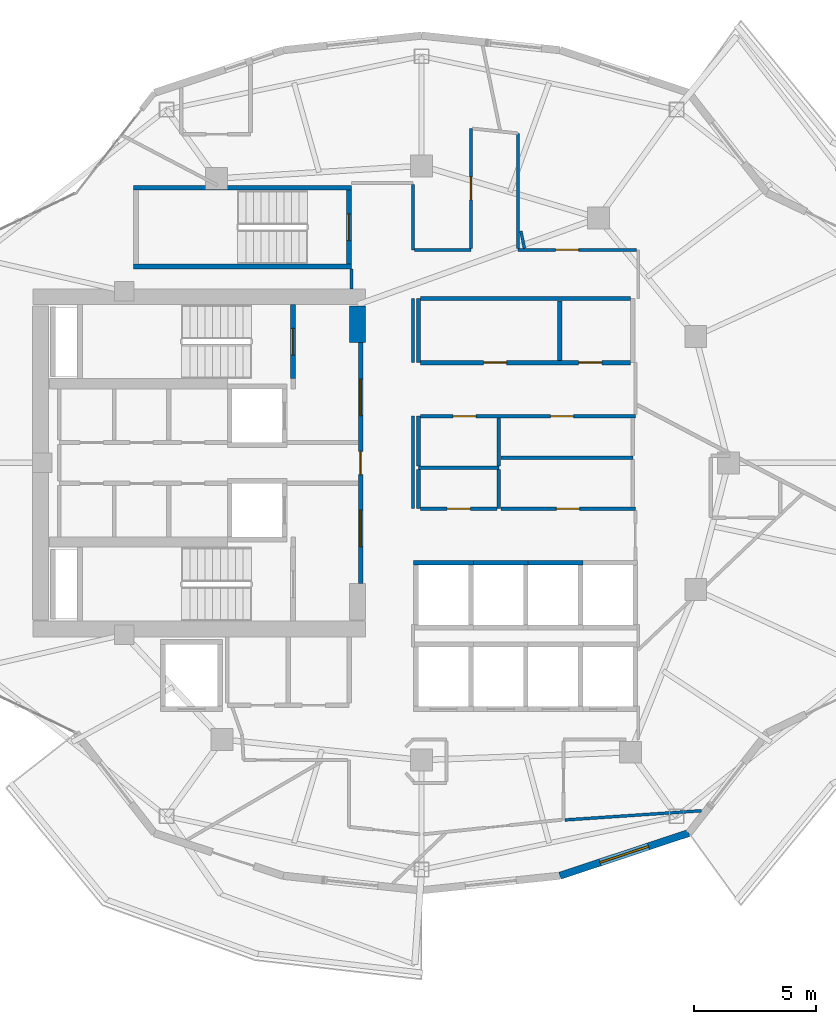
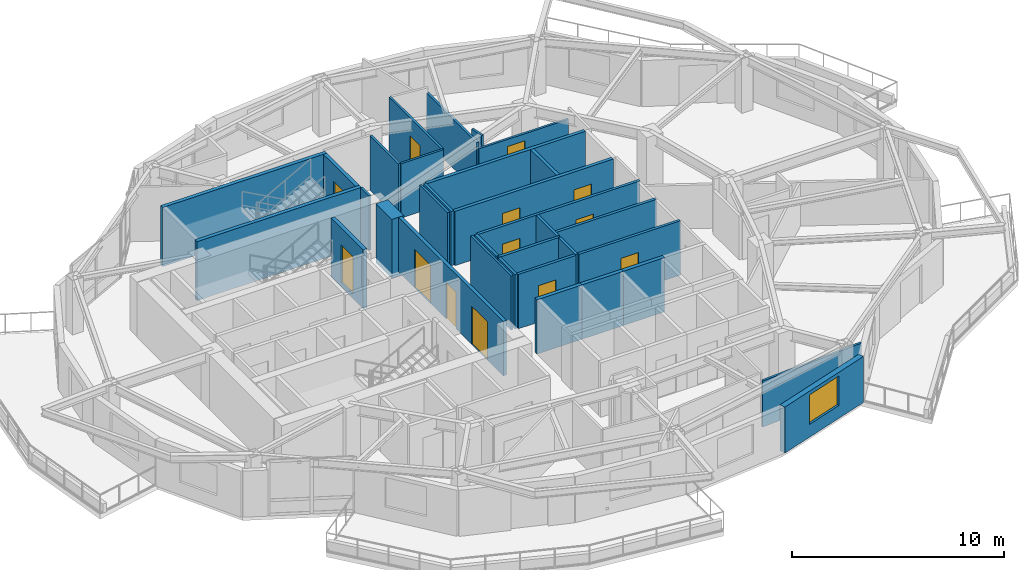
# One storey, part 9 of 13: 33 walls, 13 doors, 1 window, 14 openings.
"""IFC4 building model written with IfcOpenShell, lengths in metres."""

from ifc_helpers import new_model, si_unit, direction, frame, frame_2d, origin, place, context, subcontext, project, spatial, rectangle, extrude, material, layer, layer_set, type_object, element, fill, save


model = new_model("IFC4")

# Units and contexts
model_context = context("Model", 3, precision=1e-05, world=origin(), true_north=direction((0.0, 1.0)))
body_context = subcontext(model_context, "Body", "Model", "MODEL_VIEW")
ifc_project = project(units=[si_unit("LENGTHUNIT", "METRE"), si_unit("AREAUNIT", "SQUARE_METRE"), si_unit("VOLUMEUNIT", "CUBIC_METRE"), si_unit("PLANEANGLEUNIT", "RADIAN"), si_unit("MASSUNIT", "GRAM", prefix="KILO")], contexts=[model_context])

# Site, building, storey
site_placement = place(None, origin())
site = spatial("IfcSite", under=ifc_project, at=site_placement, CompositionType="ELEMENT")
building_placement = place(site_placement, origin())
building = spatial("IfcBuilding", under=site, at=building_placement, Name="Kolvaren Gate Tower and Convention Centre", CompositionType="ELEMENT")
storey_placement = place(building_placement, frame((0.0, 0.0, 156.300048828125)))
storey = spatial("IfcBuildingStorey", under=building, at=storey_placement, Name="L40", CompositionType="ELEMENT", Elevation=156.300048828125)

# Wall, openings, doors
ifc_material_1 = material(Name="Autoclaved Aerated Masonry Blockwork Class 4 (4.0 MPa)", Category="masonry")
ifc_layer_1 = layer(ifc_material_1, 0.179931640625)
ifc_layer_set_1 = layer_set([ifc_layer_1], Name="Autoclaved Aerated Masonry Blockwork Class 4 (4.0 MPa)")
wall_type_1 = type_object("IfcWallType", Name="ARCH-WL-COMP-180", PredefinedType="SOLIDWALL", material=ifc_layer_set_1)
wall_1_placement = place(storey_placement, frame((27.6201171875, 22.050048828125, 0.0), z_axis=(0.0, 0.0, 1.0), x_axis=(0.0, 1.0, 0.0)))
wall_1 = element("IfcWall", 1, at=wall_1_placement, inside=storey, type_object=wall_type_1, Name="Interior Partition WL-L40-INT-003", PredefinedType="SOLIDWALL", context=body_context, shape_type="SweptSolid", body=[
    extrude(rectangle(XDim=9.89990234375, YDim=0.179931640625, at=frame_2d((4.949951171875, 0.0))), origin(), (0.0, 0.0, 1.0), 3.1298828125),
])
opening_1_placement = place(wall_1_placement, frame((4.47509765625, 0.0, 0.0)))
opening_1 = element("IfcOpeningElement", 2, at=opening_1_placement, cuts=wall_1, Name="Opening DR-01", PredefinedType="OPENING", context=body_context, shape_type="SweptSolid", body=[
    extrude(rectangle(XDim=0.949951171875, YDim=2.10009765625, at=frame_2d((0.47509765625, 1.050048828125))), frame((0.0, 0.099853515625, 0.0), z_axis=(0.0, -1.0, 0.0), x_axis=(1.0, 0.0, 0.0)), (0.0, 0.0, 1.0), 0.199951171875),
])
opening_2_placement = place(wall_1_placement, frame((6.889892578125, 0.0, 0.0)))
opening_2 = element("IfcOpeningElement", 3, at=opening_2_placement, cuts=wall_1, Name="Opening DL-01", PredefinedType="OPENING", context=body_context, shape_type="SweptSolid", body=[
    extrude(rectangle(XDim=1.5, YDim=2.199951171875, at=frame_2d((0.75, 1.10009765625))), frame((0.0, 0.099853515625, 0.0), z_axis=(0.0, -1.0, 0.0), x_axis=(1.0, 0.0, 0.0)), (0.0, 0.0, 1.0), 0.199951171875),
])
opening_3_placement = place(wall_1_placement, frame((1.510009765625, 0.0, 0.0)))
opening_3 = element("IfcOpeningElement", 4, at=opening_3_placement, cuts=wall_1, Name="Opening DL-01", PredefinedType="OPENING", context=body_context, shape_type="SweptSolid", body=[
    extrude(rectangle(XDim=1.5, YDim=2.199951171875, at=frame_2d((0.75, 1.10009765625))), frame((0.0, 0.099853515625, 0.0), z_axis=(0.0, -1.0, 0.0), x_axis=(1.0, 0.0, 0.0)), (0.0, 0.0, 1.0), 0.199951171875),
])
ifc_material_2 = material(Name="Painted Architectural Steelwork ASTM A500 Grade C 345 MPa", Category="steel")
door_type_1 = type_object("IfcDoorType", Name="ARCH-DR-LOBBY-1500", OperationType="DOUBLE_DOOR_SINGLE_SWING", PredefinedType="DOOR", material=ifc_material_2)
door_1_placement = place(opening_2_placement, origin())
door_1 = element("IfcDoor", 5, at=door_1_placement, inside=storey, type_object=door_type_1, Name="North Firefighting Stair and Lift Lobby Door", OperationType="DOUBLE_DOOR_SINGLE_SWING", OverallHeight=2.199951171875, OverallWidth=1.5, PredefinedType="DOOR", context=body_context, shape_type="SweptSolid", body=[
    extrude(rectangle(XDim=1.5, YDim=2.199951171875, at=frame_2d((0.75, 1.10009765625))), frame((0.0, 0.02490234375, 0.0), z_axis=(0.0, -1.0, 0.0), x_axis=(1.0, 0.0, 0.0)), (0.0, 0.0, 1.0), 0.050048828125),
])
fill(opening_2, door_1)
door_2_placement = place(opening_3_placement, origin())
door_2 = element("IfcDoor", 6, at=door_2_placement, inside=storey, type_object=door_type_1, Name="South Firefighting Stair and Lift Lobby Door", OperationType="DOUBLE_DOOR_SINGLE_SWING", OverallHeight=2.199951171875, OverallWidth=1.5, PredefinedType="DOOR", context=body_context, shape_type="SweptSolid", body=[
    extrude(rectangle(XDim=1.5, YDim=2.199951171875, at=frame_2d((0.75, 1.10009765625))), frame((0.0, 0.02490234375, 0.0), z_axis=(0.0, -1.0, 0.0), x_axis=(1.0, 0.0, 0.0)), (0.0, 0.0, 1.0), 0.050048828125),
])
fill(opening_3, door_2)
door_type_2 = type_object("IfcDoorType", Name="ARCH-DR-RISER-950", OperationType="SINGLE_SWING_RIGHT", PredefinedType="DOOR", material=ifc_material_2)
door_3_placement = place(opening_1_placement, origin())
door_3 = element("IfcDoor", 7, at=door_3_placement, inside=storey, type_object=door_type_2, Name="Central MEP Service Corridor Door", OperationType="SINGLE_SWING_LEFT", OverallHeight=2.10009765625, OverallWidth=0.949951171875, PredefinedType="DOOR", context=body_context, shape_type="SweptSolid", body=[
    extrude(rectangle(XDim=0.949951171875, YDim=2.10009765625, at=frame_2d((0.47509765625, 1.050048828125))), frame((0.0, 0.02490234375, 0.0), z_axis=(0.0, -1.0, 0.0), x_axis=(1.0, 0.0, 0.0)), (0.0, 0.0, 1.0), 0.050048828125),
])
fill(opening_1, door_3)

wall_2_placement = place(storey_placement, frame((30.076904296875, 31.1201171875, 0.0), z_axis=(0.0, 0.0, 1.0), x_axis=(1.0, 0.0, 0.0)))
wall_2 = element("IfcWall", 8, at=wall_2_placement, inside=storey, type_object=wall_type_1, Name="Interior Partition WL-L40-INT-025", PredefinedType="SOLIDWALL", context=body_context, shape_type="SweptSolid", body=[
    extrude(rectangle(XDim=8.631103515625, YDim=0.179931640625, at=frame_2d((4.3154296875, 0.0))), origin(), (0.0, 0.0, 1.0), 3.1298828125),
])
opening_4_placement = place(wall_2_placement, frame((2.591552734375, 0.0, 0.0)))
opening_4 = element("IfcOpeningElement", 9, at=opening_4_placement, cuts=wall_2, Name="Opening DR-01", PredefinedType="OPENING", context=body_context, shape_type="SweptSolid", body=[
    extrude(rectangle(XDim=0.949951171875, YDim=2.10009765625, at=frame_2d((0.47509765625, 1.050048828125))), frame((0.0, 0.099853515625, 0.0), z_axis=(0.0, -1.0, 0.0), x_axis=(1.0, 0.0, 0.0)), (0.0, 0.0, 1.0), 0.199951171875),
])
opening_5_placement = place(wall_2_placement, frame((6.4970703125, 0.0, 0.0)))
opening_5 = element("IfcOpeningElement", 10, at=opening_5_placement, cuts=wall_2, Name="Opening DR-01", PredefinedType="OPENING", context=body_context, shape_type="SweptSolid", body=[
    extrude(rectangle(XDim=0.949951171875, YDim=2.10009765625, at=frame_2d((0.47509765625, 1.050048828125))), frame((0.0, 0.099853515625, 0.0), z_axis=(0.0, -1.0, 0.0), x_axis=(1.0, 0.0, 0.0)), (0.0, 0.0, 1.0), 0.199951171875),
])
door_4_placement = place(opening_4_placement, origin())
door_4 = element("IfcDoor", 11, at=door_4_placement, inside=storey, type_object=door_type_2, Name="Steward Supply Store Door", OperationType="SINGLE_SWING_RIGHT", OverallHeight=2.10009765625, OverallWidth=0.949951171875, PredefinedType="DOOR", context=body_context, shape_type="SweptSolid", body=[
    extrude(rectangle(XDim=0.949951171875, YDim=2.10009765625, at=frame_2d((0.47509765625, 1.050048828125))), frame((0.0, 0.02490234375, 0.0), z_axis=(0.0, -1.0, 0.0), x_axis=(1.0, 0.0, 0.0)), (0.0, 0.0, 1.0), 0.050048828125),
])
fill(opening_4, door_4)
door_5_placement = place(opening_5_placement, origin())
door_5 = element("IfcDoor", 12, at=door_5_placement, inside=storey, type_object=door_type_2, Name="Floor Telecom Switch Room Door", OperationType="SINGLE_SWING_LEFT", OverallHeight=2.10009765625, OverallWidth=0.949951171875, PredefinedType="DOOR", context=body_context, shape_type="SweptSolid", body=[
    extrude(rectangle(XDim=0.949951171875, YDim=2.10009765625, at=frame_2d((0.47509765625, 1.050048828125))), frame((0.0, 0.02490234375, 0.0), z_axis=(0.0, -1.0, 0.0), x_axis=(1.0, 0.0, 0.0)), (0.0, 0.0, 1.0), 0.050048828125),
])
fill(opening_5, door_5)

# Walls
wall_3_placement = place(storey_placement, frame((30.076904296875, 33.75, 0.0), z_axis=(0.0, 0.0, 1.0), x_axis=(1.0, 0.0, 0.0)))
element("IfcWall", 13, at=wall_3_placement, inside=storey, type_object=wall_type_1, Name="Interior Partition WL-L40-INT-026", PredefinedType="SOLIDWALL", context=body_context, shape_type="SweptSolid", body=[
    extrude(rectangle(XDim=8.631103515625, YDim=0.179931640625, at=frame_2d((4.3154296875, 0.0))), origin(), (0.0, 0.0, 1.0), 3.1298828125),
])
wall_4_placement = place(storey_placement, frame((35.800048828125, 31.2119140625, 0.0), z_axis=(0.0, 0.0, 1.0), x_axis=(0.0, 1.0, 0.0)))
element("IfcWall", 14, at=wall_4_placement, inside=storey, type_object=wall_type_1, Name="Interior Partition WL-L40-INT-027", PredefinedType="SOLIDWALL", context=body_context, shape_type="SweptSolid", body=[
    extrude(rectangle(XDim=2.446044921875, YDim=0.179931640625, at=frame_2d((1.22314453125, 0.0))), origin(), (0.0, 0.0, 1.0), 3.1298828125),
])
ifc_material_3 = material(Name="Fire-Rated Acoustic Gypsum Stud Partition", Category="gypsum")
ifc_layer_2 = layer(ifc_material_3, 0.1201171875)
ifc_layer_set_2 = layer_set([ifc_layer_2], Name="Fire-Rated Acoustic Gypsum Stud Partition")
wall_type_2 = type_object("IfcWallType", Name="ARCH-WL-PART-120", PredefinedType="PARTITIONING", material=ifc_layer_set_2)
wall_5_placement = place(storey_placement, frame((27.25, 34.152099609375, 0.0), z_axis=(0.0, 0.0, 1.0), x_axis=(0.0, 1.0, 0.0)))
element("IfcWall", 15, at=wall_5_placement, inside=storey, type_object=wall_type_2, Name="Interior Partition WL-L40-INT-038", PredefinedType="PARTITIONING", context=body_context, shape_type="SweptSolid", body=[
    extrude(rectangle(XDim=0.805908203125, YDim=0.1201171875, at=frame_2d((0.40283203125, 0.0))), origin(), (0.0, 0.0, 1.0), 3.1298828125),
])
wall_6_placement = place(storey_placement, frame((29.780029296875, 25.1201171875, 0.0), z_axis=(0.0, 0.0, 1.0), x_axis=(0.0, 1.0, 0.0)))
element("IfcWall", 16, at=wall_6_placement, inside=storey, type_object=wall_type_2, Name="Interior Partition WL-L40-INT-041", PredefinedType="PARTITIONING", context=body_context, shape_type="SweptSolid", body=[
    extrude(rectangle(XDim=3.7998046875, YDim=0.1201171875, at=frame_2d((1.89990234375, 0.0))), origin(), (0.0, 0.0, 1.0), 3.1298828125),
])
wall_7_placement = place(storey_placement, frame((29.780029296875, 31.1201171875, 0.0), z_axis=(0.0, 0.0, 1.0), x_axis=(0.0, 1.0, 0.0)))
element("IfcWall", 17, at=wall_7_placement, inside=storey, type_object=wall_type_2, Name="Interior Partition WL-L40-INT-042", PredefinedType="PARTITIONING", context=body_context, shape_type="SweptSolid", body=[
    extrude(rectangle(XDim=2.6298828125, YDim=0.1201171875, at=frame_2d((1.31494140625, 0.0))), origin(), (0.0, 0.0, 1.0), 3.1298828125),
])
wall_8_placement = place(storey_placement, frame((29.780029296875, 35.75, 0.0), z_axis=(0.0, 0.0, 1.0), x_axis=(0.0, 1.0, 0.0)))
element("IfcWall", 18, at=wall_8_placement, inside=storey, type_object=wall_type_2, Name="Interior Partition WL-L40-INT-043", PredefinedType="PARTITIONING", context=body_context, shape_type="SweptSolid", body=[
    extrude(rectangle(XDim=2.68798828125, YDim=0.1201171875, at=frame_2d((1.343994140625, 0.0))), origin(), (0.0, 0.0, 1.0), 3.1298828125),
])
wall_9_placement = place(storey_placement, frame((29.842041015625, 35.75, 0.0), z_axis=(0.0, 0.0, 1.0), x_axis=(1.0, 0.0, 0.0)))
element("IfcWall", 19, at=wall_9_placement, inside=storey, type_object=wall_type_2, Name="Interior Partition WL-L40-INT-044", PredefinedType="PARTITIONING", context=body_context, shape_type="SweptSolid", body=[
    extrude(rectangle(XDim=2.307861328125, YDim=0.1201171875, at=frame_2d((1.15380859375, 0.0))), origin(), (0.0, 0.0, 1.0), 3.1298828125),
])

# Wall, opening, door
wall_10_placement = place(storey_placement, frame((34.080078125, 35.75, 0.0), z_axis=(0.0, 0.0, 1.0), x_axis=(1.0, 0.0, 0.0)))
wall_10 = element("IfcWall", 20, at=wall_10_placement, inside=storey, type_object=wall_type_2, Name="Interior Partition WL-L40-INT-045", PredefinedType="PARTITIONING", context=body_context, shape_type="SweptSolid", body=[
    extrude(rectangle(XDim=4.8779296875, YDim=0.1201171875, at=frame_2d((2.43896484375, 0.0))), origin(), (0.0, 0.0, 1.0), 2.5048828125),
])
opening_6_placement = place(wall_10_placement, frame((1.5439453125, 0.0, 0.0)))
opening_6 = element("IfcOpeningElement", 21, at=opening_6_placement, cuts=wall_10, Name="Opening DR-01", PredefinedType="OPENING", context=body_context, shape_type="SweptSolid", body=[
    extrude(rectangle(XDim=0.949951171875, YDim=2.10009765625, at=frame_2d((0.47509765625, 1.050048828125))), frame((0.0, 0.070068359375, 0.0), z_axis=(0.0, -1.0, 0.0), x_axis=(1.0, 0.0, 0.0)), (0.0, 0.0, 1.0), 0.14013671875),
])
door_6_placement = place(opening_6_placement, origin())
door_6 = element("IfcDoor", 22, at=door_6_placement, inside=storey, type_object=door_type_2, Name="Hotel Botanical Clubroom Door", OperationType="SINGLE_SWING_LEFT", OverallHeight=2.10009765625, OverallWidth=0.949951171875, PredefinedType="DOOR", context=body_context, shape_type="SweptSolid", body=[
    extrude(rectangle(XDim=0.949951171875, YDim=2.10009765625, at=frame_2d((0.47509765625, 1.050048828125))), frame((0.0, 0.02490234375, 0.0), z_axis=(0.0, -1.0, 0.0), x_axis=(1.0, 0.0, 0.0)), (0.0, 0.0, 1.0), 0.050048828125),
])
fill(opening_6, door_6)

wall_11_placement = place(storey_placement, frame((32.14990234375, 35.81201171875, 0.0), z_axis=(0.0, 0.0, 1.0), x_axis=(0.0, 1.0, 0.0)))
wall_11 = element("IfcWall", 23, at=wall_11_placement, inside=storey, type_object=wall_type_2, Name="Interior Partition WL-L40-INT-046", PredefinedType="PARTITIONING", context=body_context, shape_type="SweptSolid", body=[
    extrude(rectangle(XDim=4.925048828125, YDim=0.1201171875, at=frame_2d((2.46240234375, 0.0))), origin(), (0.0, 0.0, 1.0), 3.1298828125),
])
opening_7_placement = place(wall_11_placement, frame((1.987548828125, 0.0, 0.0)))
opening_7 = element("IfcOpeningElement", 24, at=opening_7_placement, cuts=wall_11, Name="Opening DR-01", PredefinedType="OPENING", context=body_context, shape_type="SweptSolid", body=[
    extrude(rectangle(XDim=0.949951171875, YDim=2.10009765625, at=frame_2d((0.47509765625, 1.050048828125))), frame((0.0, 0.070068359375, 0.0), z_axis=(0.0, -1.0, 0.0), x_axis=(1.0, 0.0, 0.0)), (0.0, 0.0, 1.0), 0.14013671875),
])
door_7_placement = place(opening_7_placement, origin())
door_7 = element("IfcDoor", 25, at=door_7_placement, inside=storey, type_object=door_type_2, Name="Hotel Guest Room (HTL-L40-07) Door", OperationType="SINGLE_SWING_RIGHT", OverallHeight=2.10009765625, OverallWidth=0.949951171875, PredefinedType="DOOR", context=body_context, shape_type="SweptSolid", body=[
    extrude(rectangle(XDim=0.949951171875, YDim=2.10009765625, at=frame_2d((0.47509765625, 1.050048828125))), frame((0.0, 0.02490234375, 0.0), z_axis=(0.0, -1.0, 0.0), x_axis=(1.0, 0.0, 0.0)), (0.0, 0.0, 1.0), 0.050048828125),
])
fill(opening_7, door_7)

# Walls
wall_12_placement = place(storey_placement, frame((34.080078125, 35.81201171875, 0.0), z_axis=(0.0, 0.0, 1.0), x_axis=(0.0, 1.0, 0.0)))
element("IfcWall", 26, at=wall_12_placement, inside=storey, type_object=wall_type_2, Name="Interior Partition WL-L40-INT-048", PredefinedType="PARTITIONING", context=body_context, shape_type="SweptSolid", body=[
    extrude(rectangle(XDim=4.721923828125, YDim=0.1201171875, at=frame_2d((2.36083984375, 0.0))), origin(), (0.0, 0.0, 1.0), 2.81201171875),
])
wall_13_placement = place(storey_placement, frame((36.011962890625, 12.34033203125, 0.0), z_axis=(0.0, 0.0, 1.0), x_axis=(0.997733146572, 0.067294637466, 0.0)))
element("IfcWall", 27, at=wall_13_placement, inside=storey, type_object=wall_type_2, Name="Interior Partition WL-L40-INT-060", PredefinedType="PARTITIONING", context=body_context, shape_type="SweptSolid", body=[
    extrude(rectangle(XDim=5.61962890625, YDim=0.1201171875, at=frame_2d((2.809814453125, 0.0))), origin(), (0.0, 0.0, 1.0), 2.65283203125),
])
wall_14_placement = place(storey_placement, frame((34.201904296875, 36.520751953125, 0.0), z_axis=(0.0, 0.0, 1.0), x_axis=(0.202081256143, -0.979368758903, 0.0)))
element("IfcWall", 28, at=wall_14_placement, inside=storey, type_object=wall_type_2, Name="Interior Partition WL-L40-INT-066", PredefinedType="PARTITIONING", context=body_context, shape_type="SweptSolid", body=[
    extrude(rectangle(XDim=0.7236328125, YDim=0.1201171875, at=frame_2d((0.36181640625, 0.0))), origin(), (0.0, 0.0, 1.0), 3.1298828125),
])
ifc_layer_3 = layer(ifc_material_1, 0.199951171875)
ifc_layer_set_3 = layer_set([ifc_layer_3], Name="Autoclaved Aerated Masonry Blockwork Class 4 (4.0 MPa)")
wall_type_3 = type_object("IfcWallType", Name="ARCH-WL-SHAFT-200", PredefinedType="SOLIDWALL", material=ifc_layer_set_3)
wall_15_placement = place(storey_placement, frame((29.800048828125, 22.89990234375, 0.0), z_axis=(0.0, 0.0, 1.0), x_axis=(1.0, 0.0, 0.0)))
element("IfcWall", 29, at=wall_15_placement, inside=storey, type_object=wall_type_3, Name="Elevator PL-09 L40 Fire Shaft Wall N", PredefinedType="SOLIDWALL", context=body_context, shape_type="SweptSolid", body=[
    extrude(rectangle(XDim=2.449951171875, YDim=0.199951171875, at=frame_2d((1.22509765625, 0.0))), origin(), (0.0, 0.0, 1.0), 3.1298828125),
])
for number, where, z_axis, x_axis, name in (
    (30, (32.25, 22.89990234375, 0.0), (0.0, 0.0, 1.0), (1.0, 0.0, 0.0), "Elevator PL-10 L40 Fire Shaft Wall N"),
    (31, (34.5, 22.89990234375, 0.0), (0.0, 0.0, 1.0), (1.0, 0.0, 0.0), "Elevator PL-11 L40 Fire Shaft Wall N"),
):
    element("IfcWall", number, at=place(storey_placement, frame(where, z_axis=z_axis, x_axis=x_axis)), inside=storey, type_object=wall_type_3, Name=name, PredefinedType="SOLIDWALL", context=body_context, shape_type="SweptSolid", body=[
        extrude(rectangle(XDim=2.25, YDim=0.199951171875, at=frame_2d((1.125, 0.0))), origin(), (0.0, 0.0, 1.0), 3.1298828125),
    ])

# Wall, opening, window
ifc_material_4 = material(Name="Piedmont Cream Honed Limestone Cladding", Category="masonry")
ifc_layer_4 = layer(ifc_material_4, 0.300048828125)
ifc_layer_set_4 = layer_set([ifc_layer_4], Name="Piedmont Cream Honed Limestone Cladding")
wall_type_4 = type_object("IfcWallType", Name="ARCH-WL-STONE-300", PredefinedType="SOLIDWALL", material=ifc_layer_set_4)
wall_16_placement = place(storey_placement, frame((35.802734375, 10.048095703125, 0.0), z_axis=(0.0, 0.0, 1.0), x_axis=(0.949246811547, 0.314532177636, 0.0)))
wall_16 = element("IfcWall", 32, at=wall_16_placement, inside=storey, type_object=wall_type_4, Name="Tower L40 Honed Stone Spandrel Wall EW-19", PredefinedType="SOLIDWALL", context=body_context, shape_type="SweptSolid", body=[
    extrude(rectangle(XDim=5.573974609375, YDim=0.300048828125, at=frame_2d((2.787109375, 0.0))), origin(), (0.0, 0.0, 1.0), 2.65283203125),
])
opening_8_placement = place(wall_16_placement, frame((1.737060546875, 0.0, 0.739990234375)))
opening_8 = element("IfcOpeningElement", 33, at=opening_8_placement, cuts=wall_16, Name="Opening W-02", PredefinedType="OPENING", context=body_context, shape_type="SweptSolid", body=[
    extrude(rectangle(XDim=2.10009765625, YDim=1.699951171875, at=frame_2d((1.050048828125, 0.85009765625))), frame((0.0, 0.159912109375, 0.0), z_axis=(0.0, -1.0, 0.0), x_axis=(1.0, 0.0, 0.0)), (0.0, 0.0, 1.0), 0.320068359375),
])
ifc_material_5 = material(Name="Low-E Triple Insulated Glazing Unit 44 mm", Category="glass")
window_type = type_object("IfcWindowType", Name="ARCH-WN-HTL-2100", PartitioningType="SINGLE_PANEL", PredefinedType="WINDOW", material=ifc_material_5)
window_placement = place(opening_8_placement, origin())
window = element("IfcWindow", 34, at=window_placement, inside=storey, type_object=window_type, Name="Tower L40 Punched Stone Facade Window W-19", OverallHeight=1.699951171875, OverallWidth=2.10009765625, PartitioningType="SINGLE_PANEL", PredefinedType="WINDOW", context=body_context, shape_type="SweptSolid", body=[
    extrude(rectangle(XDim=2.10009765625, YDim=1.699951171875, at=frame_2d((1.050048828125, 0.85009765625))), frame((0.0, 0.030029296875, 0.0), z_axis=(0.0, -1.0, 0.0), x_axis=(1.0, 0.0, 0.0)), (0.0, 0.0, 1.0), 0.06005859375),
])
fill(opening_8, window)

# Walls
ifc_material_6 = material(Name="Moisture-Resistant Cement-Board Acoustic Partition", Category="gypsum")
ifc_layer_5 = layer(ifc_material_6, 0.14990234375)
ifc_layer_set_5 = layer_set([ifc_layer_5], Name="Moisture-Resistant Cement-Board Acoustic Partition")
wall_type_5 = type_object("IfcWallType", Name="ARCH-WL-WET-150", PredefinedType="PARTITIONING", material=ifc_layer_set_5)
wall_17_placement = place(storey_placement, frame((30.0, 26.800048828125, 0.0), z_axis=(0.0, 0.0, 1.0), x_axis=(1.0, 0.0, 0.0)))
element("IfcWall", 35, at=wall_17_placement, inside=storey, type_object=wall_type_5, Name="Interior Partition WL-L40-INT-016", PredefinedType="PARTITIONING", context=body_context, shape_type="SweptSolid", body=[
    extrude(rectangle(XDim=3.300048828125, YDim=0.14990234375, at=frame_2d((1.64990234375, 0.0))), origin(), (0.0, 0.0, 1.0), 3.1298828125),
])
wall_18_placement = place(storey_placement, frame((30.0, 25.1201171875, 0.0), z_axis=(0.0, 0.0, 1.0), x_axis=(0.0, 1.0, 0.0)))
element("IfcWall", 36, at=wall_18_placement, inside=storey, type_object=wall_type_5, Name="Interior Partition WL-L40-INT-017", PredefinedType="PARTITIONING", context=body_context, shape_type="SweptSolid", body=[
    extrude(rectangle(XDim=1.602783203125, YDim=0.14990234375, at=frame_2d((0.80126953125, 0.0))), origin(), (0.0, 0.0, 1.0), 3.1298828125),
])
wall_19_placement = place(storey_placement, frame((30.0, 26.876953125, 0.0), z_axis=(0.0, 0.0, 1.0), x_axis=(0.0, 1.0, 0.0)))
element("IfcWall", 37, at=wall_19_placement, inside=storey, type_object=wall_type_5, Name="Interior Partition WL-L40-INT-017 (2)", PredefinedType="PARTITIONING", context=body_context, shape_type="SweptSolid", body=[
    extrude(rectangle(XDim=2.04296875, YDim=0.14990234375, at=frame_2d((1.021484375, 0.0))), origin(), (0.0, 0.0, 1.0), 3.1298828125),
])
wall_20_placement = place(storey_placement, frame((30.0, 31.1201171875, 0.0), z_axis=(0.0, 0.0, 1.0), x_axis=(0.0, 1.0, 0.0)))
element("IfcWall", 38, at=wall_20_placement, inside=storey, type_object=wall_type_5, Name="Interior Partition WL-L40-INT-018", PredefinedType="PARTITIONING", context=body_context, shape_type="SweptSolid", body=[
    extrude(rectangle(XDim=2.6298828125, YDim=0.14990234375, at=frame_2d((1.31494140625, 0.0))), origin(), (0.0, 0.0, 1.0), 3.1298828125),
])

# Wall, openings, doors
wall_21_placement = place(storey_placement, frame((30.076904296875, 28.919921875, 0.0), z_axis=(0.0, 0.0, 1.0), x_axis=(1.0, 0.0, 0.0)))
wall_21 = element("IfcWall", 39, at=wall_21_placement, inside=storey, type_object=wall_type_5, Name="Interior Partition WL-L40-INT-019", PredefinedType="PARTITIONING", context=body_context, shape_type="SweptSolid", body=[
    extrude(rectangle(XDim=8.822998046875, YDim=0.14990234375, at=frame_2d((4.41162109375, 0.0))), origin(), (0.0, 0.0, 1.0), 3.1298828125),
])
opening_9_placement = place(wall_21_placement, frame((1.341552734375, 0.0, 0.0)))
opening_9 = element("IfcOpeningElement", 40, at=opening_9_placement, cuts=wall_21, Name="Opening DR-01", PredefinedType="OPENING", context=body_context, shape_type="SweptSolid", body=[
    extrude(rectangle(XDim=0.949951171875, YDim=2.10009765625, at=frame_2d((0.47509765625, 1.050048828125))), frame((0.0, 0.0849609375, 0.0), z_axis=(0.0, -1.0, 0.0), x_axis=(1.0, 0.0, 0.0)), (0.0, 0.0, 1.0), 0.169921875),
])
opening_10_placement = place(wall_21_placement, frame((5.343017578125, 0.0, 0.0)))
opening_10 = element("IfcOpeningElement", 41, at=opening_10_placement, cuts=wall_21, Name="Opening DR-01", PredefinedType="OPENING", context=body_context, shape_type="SweptSolid", body=[
    extrude(rectangle(XDim=0.949951171875, YDim=2.10009765625, at=frame_2d((0.47509765625, 1.050048828125))), frame((0.0, 0.0849609375, 0.0), z_axis=(0.0, -1.0, 0.0), x_axis=(1.0, 0.0, 0.0)), (0.0, 0.0, 1.0), 0.169921875),
])
door_8_placement = place(opening_9_placement, origin())
door_8 = element("IfcDoor", 42, at=door_8_placement, inside=storey, type_object=door_type_2, Name="Accessible North Washroom Door", OperationType="SINGLE_SWING_RIGHT", OverallHeight=2.10009765625, OverallWidth=0.949951171875, PredefinedType="DOOR", context=body_context, shape_type="SweptSolid", body=[
    extrude(rectangle(XDim=0.949951171875, YDim=2.10009765625, at=frame_2d((0.47509765625, 1.050048828125))), frame((0.0, 0.02490234375, 0.0), z_axis=(0.0, -1.0, 0.0), x_axis=(1.0, 0.0, 0.0)), (0.0, 0.0, 1.0), 0.050048828125),
])
fill(opening_9, door_8)
door_9_placement = place(opening_10_placement, origin())
door_9 = element("IfcDoor", 43, at=door_9_placement, inside=storey, type_object=door_type_2, Name="Hotel Housekeeping and Linen Store Door", OperationType="SINGLE_SWING_RIGHT", OverallHeight=2.10009765625, OverallWidth=0.949951171875, PredefinedType="DOOR", context=body_context, shape_type="SweptSolid", body=[
    extrude(rectangle(XDim=0.949951171875, YDim=2.10009765625, at=frame_2d((0.47509765625, 1.050048828125))), frame((0.0, 0.02490234375, 0.0), z_axis=(0.0, -1.0, 0.0), x_axis=(1.0, 0.0, 0.0)), (0.0, 0.0, 1.0), 0.050048828125),
])
fill(opening_10, door_9)

# Walls
wall_22_placement = place(storey_placement, frame((33.300048828125, 25.1201171875, 0.0), z_axis=(0.0, 0.0, 1.0), x_axis=(0.0, 1.0, 0.0)))
element("IfcWall", 44, at=wall_22_placement, inside=storey, type_object=wall_type_5, Name="Interior Partition WL-L40-INT-020", PredefinedType="PARTITIONING", context=body_context, shape_type="SweptSolid", body=[
    extrude(rectangle(XDim=1.602783203125, YDim=0.14990234375, at=frame_2d((0.80126953125, 0.0))), origin(), (0.0, 0.0, 1.0), 3.1298828125),
])
wall_23_placement = place(storey_placement, frame((33.300048828125, 26.876953125, 0.0), z_axis=(0.0, 0.0, 1.0), x_axis=(0.0, 1.0, 0.0)))
element("IfcWall", 45, at=wall_23_placement, inside=storey, type_object=wall_type_5, Name="Interior Partition WL-L40-INT-020 (2)", PredefinedType="PARTITIONING", context=body_context, shape_type="SweptSolid", body=[
    extrude(rectangle(XDim=1.966064453125, YDim=0.14990234375, at=frame_2d((0.98291015625, 0.0))), origin(), (0.0, 0.0, 1.0), 3.1298828125),
])

# Wall, opening, door
wall_24_placement = place(storey_placement, frame((30.076904296875, 25.1201171875, 0.0), z_axis=(0.0, 0.0, 1.0), x_axis=(1.0, 0.0, 0.0)))
wall_24 = element("IfcWall", 46, at=wall_24_placement, inside=storey, type_object=wall_type_5, Name="Interior Partition WL-L40-INT-021", PredefinedType="PARTITIONING", context=body_context, shape_type="SweptSolid", body=[
    extrude(rectangle(XDim=3.14599609375, YDim=0.14990234375, at=frame_2d((1.572998046875, 0.0))), origin(), (0.0, 0.0, 1.0), 3.1298828125),
])
opening_11_placement = place(wall_24_placement, frame((1.097900390625, 0.0, 0.0)))
opening_11 = element("IfcOpeningElement", 47, at=opening_11_placement, cuts=wall_24, Name="Opening DR-01", PredefinedType="OPENING", context=body_context, shape_type="SweptSolid", body=[
    extrude(rectangle(XDim=0.949951171875, YDim=2.10009765625, at=frame_2d((0.47509765625, 1.050048828125))), frame((0.0, 0.0849609375, 0.0), z_axis=(0.0, -1.0, 0.0), x_axis=(1.0, 0.0, 0.0)), (0.0, 0.0, 1.0), 0.169921875),
])
door_10_placement = place(opening_11_placement, origin())
door_10 = element("IfcDoor", 48, at=door_10_placement, inside=storey, type_object=door_type_2, Name="South Visitor Washroom Door", OperationType="SINGLE_SWING_LEFT", OverallHeight=2.10009765625, OverallWidth=0.949951171875, PredefinedType="DOOR", context=body_context, shape_type="SweptSolid", body=[
    extrude(rectangle(XDim=0.949951171875, YDim=2.10009765625, at=frame_2d((0.47509765625, 1.050048828125))), frame((0.0, 0.02490234375, 0.0), z_axis=(0.0, -1.0, 0.0), x_axis=(1.0, 0.0, 0.0)), (0.0, 0.0, 1.0), 0.050048828125),
])
fill(opening_11, door_10)

wall_25_placement = place(storey_placement, frame((33.376953125, 25.1201171875, 0.0), z_axis=(0.0, 0.0, 1.0), x_axis=(1.0, 0.0, 0.0)))
wall_25 = element("IfcWall", 49, at=wall_25_placement, inside=storey, type_object=wall_type_5, Name="Interior Partition WL-L40-INT-021 (2)", PredefinedType="PARTITIONING", context=body_context, shape_type="SweptSolid", body=[
    extrude(rectangle(XDim=5.52294921875, YDim=0.14990234375, at=frame_2d((2.761474609375, 0.0))), origin(), (0.0, 0.0, 1.0), 3.1298828125),
])
opening_12_placement = place(wall_25_placement, frame((2.28662109375, 0.0, 0.0)))
opening_12 = element("IfcOpeningElement", 50, at=opening_12_placement, cuts=wall_25, Name="Opening DR-01", PredefinedType="OPENING", context=body_context, shape_type="SweptSolid", body=[
    extrude(rectangle(XDim=0.949951171875, YDim=2.10009765625, at=frame_2d((0.47509765625, 1.050048828125))), frame((0.0, 0.0849609375, 0.0), z_axis=(0.0, -1.0, 0.0), x_axis=(1.0, 0.0, 0.0)), (0.0, 0.0, 1.0), 0.169921875),
])
door_11_placement = place(opening_12_placement, origin())
door_11 = element("IfcDoor", 51, at=door_11_placement, inside=storey, type_object=door_type_2, Name="Floor Coffee Pantry Door", OperationType="SINGLE_SWING_LEFT", OverallHeight=2.10009765625, OverallWidth=0.949951171875, PredefinedType="DOOR", context=body_context, shape_type="SweptSolid", body=[
    extrude(rectangle(XDim=0.949951171875, YDim=2.10009765625, at=frame_2d((0.47509765625, 1.050048828125))), frame((0.0, 0.02490234375, 0.0), z_axis=(0.0, -1.0, 0.0), x_axis=(1.0, 0.0, 0.0)), (0.0, 0.0, 1.0), 0.050048828125),
])
fill(opening_12, door_11)

# Walls
wall_26_placement = place(storey_placement, frame((33.376953125, 27.219970703125, 0.0), z_axis=(0.0, 0.0, 1.0), x_axis=(1.0, 0.0, 0.0)))
element("IfcWall", 52, at=wall_26_placement, inside=storey, type_object=wall_type_5, Name="Interior Partition WL-L40-INT-022", PredefinedType="PARTITIONING", context=body_context, shape_type="SweptSolid", body=[
    extrude(rectangle(XDim=5.423095703125, YDim=0.14990234375, at=frame_2d((2.71142578125, 0.0))), origin(), (0.0, 0.0, 1.0), 3.1298828125),
])
ifc_material_7 = material(Name="Concrete C60/75", Category="concrete")
ifc_layer_6 = layer(ifc_material_7, 0.64990234375)
ifc_layer_set_6 = layer_set([ifc_layer_6], Name="Concrete C60/75")
wall_type_6 = type_object("IfcWallType", Name="STR-WL-CORE-650", PredefinedType="SHEAR", material=ifc_layer_set_6)
wall_27_placement = place(storey_placement, frame((27.5, 31.949951171875, -0.27001953125), z_axis=(0.0, 0.0, 1.0), x_axis=(0.0, 1.0, 0.0)))
element("IfcWall", 53, at=wall_27_placement, inside=storey, type_object=wall_type_6, Name="Tower L40 Offset Core Shear Wall EN", PredefinedType="SHEAR", context=body_context, shape_type="SweptSolid", body=[
    extrude(rectangle(XDim=1.5, YDim=0.64990234375, at=frame_2d((0.75, 0.0))), origin(), (0.0, 0.0, 1.0), 3.39990234375),
])

# Wall, opening, door
ifc_material_8 = material(Name="Concrete C50/60", Category="concrete")
ifc_layer_7 = layer(ifc_material_8, 0.199951171875)
ifc_layer_set_7 = layer_set([ifc_layer_7], Name="Concrete C50/60")
wall_type_7 = type_object("IfcWallType", Name="STR-WL-SHAFT-200", PredefinedType="SHEAR", material=ifc_layer_set_7)
wall_28_placement = place(storey_placement, frame((24.85009765625, 30.4599609375, -0.27001953125), z_axis=(0.0, 0.0, 1.0), x_axis=(0.0, 1.0, 0.0)))
wall_28 = element("IfcWall", 54, at=wall_28_placement, inside=storey, type_object=wall_type_7, Name="Tower North Exit Stair ST-T1 L40 Structural Shear Enclosure Wall NEAR", PredefinedType="SHEAR", context=body_context, shape_type="SweptSolid", body=[
    extrude(rectangle(XDim=3.0380859375, YDim=0.199951171875, at=frame_2d((1.51904296875, 0.0))), origin(), (0.0, 0.0, 1.0), 3.39990234375),
])
opening_13_placement = place(wall_28_placement, frame((0.968994140625, 0.0, 0.27001953125)))
opening_13 = element("IfcOpeningElement", 55, at=opening_13_placement, cuts=wall_28, Name="Opening DS-01", PredefinedType="OPENING", context=body_context, shape_type="SweptSolid", body=[
    extrude(rectangle(XDim=1.10009765625, YDim=2.14990234375, at=frame_2d((0.550048828125, 1.074951171875))), frame((0.0, 0.10986328125, 0.0), z_axis=(0.0, -1.0, 0.0), x_axis=(1.0, 0.0, 0.0)), (0.0, 0.0, 1.0), 0.219970703125),
])
door_type_3 = type_object("IfcDoorType", Name="ARCH-DR-STAIR-1100", OperationType="SINGLE_SWING_LEFT", PredefinedType="DOOR", material=ifc_material_2)
door_12_placement = place(opening_13_placement, origin())
door_12 = element("IfcDoor", 56, at=door_12_placement, inside=storey, type_object=door_type_3, Name="Tower North Exit Stair ST-T1 L40 Fire Exit Stair Door", OperationType="SINGLE_SWING_RIGHT", OverallHeight=2.14990234375, OverallWidth=1.10009765625, PredefinedType="DOOR", context=body_context, shape_type="SweptSolid", body=[
    extrude(rectangle(XDim=1.10009765625, YDim=2.14990234375, at=frame_2d((0.550048828125, 1.074951171875))), frame((0.0, 0.02490234375, 0.0), z_axis=(0.0, -1.0, 0.0), x_axis=(1.0, 0.0, 0.0)), (0.0, 0.0, 1.0), 0.050048828125),
])
fill(opening_13, door_12)

wall_29_placement = place(storey_placement, frame((27.14990234375, 35.159912109375, -0.27001953125), z_axis=(0.0, 0.0, 1.0), x_axis=(0.0, 1.0, 0.0)))
wall_29 = element("IfcWall", 57, at=wall_29_placement, inside=storey, type_object=wall_type_7, Name="Tower Mid-Zone Exit Stair ST-T3 L40 Structural Shear Enclosure Wall NEAR", PredefinedType="SHEAR", context=body_context, shape_type="SweptSolid", body=[
    extrude(rectangle(XDim=3.0400390625, YDim=0.199951171875, at=frame_2d((1.52001953125, 0.0))), origin(), (0.0, 0.0, 1.0), 3.39990234375),
])
opening_14_placement = place(wall_29_placement, frame((0.969970703125, 0.0, 0.27001953125)))
opening_14 = element("IfcOpeningElement", 58, at=opening_14_placement, cuts=wall_29, Name="Opening DS-01", PredefinedType="OPENING", context=body_context, shape_type="SweptSolid", body=[
    extrude(rectangle(XDim=1.10009765625, YDim=2.14990234375, at=frame_2d((0.550048828125, 1.074951171875))), frame((0.0, 0.10986328125, 0.0), z_axis=(0.0, -1.0, 0.0), x_axis=(1.0, 0.0, 0.0)), (0.0, 0.0, 1.0), 0.219970703125),
])
door_13_placement = place(opening_14_placement, origin())
door_13 = element("IfcDoor", 59, at=door_13_placement, inside=storey, type_object=door_type_3, Name="Tower Mid-Zone Exit Stair ST-T3 L40 Fire Exit Stair Door", OperationType="SINGLE_SWING_RIGHT", OverallHeight=2.14990234375, OverallWidth=1.10009765625, PredefinedType="DOOR", context=body_context, shape_type="SweptSolid", body=[
    extrude(rectangle(XDim=1.10009765625, YDim=2.14990234375, at=frame_2d((0.550048828125, 1.074951171875))), frame((0.0, 0.02490234375, 0.0), z_axis=(0.0, -1.0, 0.0), x_axis=(1.0, 0.0, 0.0)), (0.0, 0.0, 1.0), 0.050048828125),
])
fill(opening_14, door_13)

# Walls
for number, where, z_axis, x_axis, name in (
    (60, (18.300048828125, 38.300048828125, -0.27001953125), (0.0, 0.0, 1.0), (1.0, 0.0, 0.0), "Tower Mid-Zone Exit Stair ST-T3 L40 Structural Shear Enclosure Wall LEFT"),
    (61, (18.300048828125, 35.06005859375, -0.27001953125), (0.0, 0.0, 1.0), (1.0, 0.0, 0.0), "Tower Mid-Zone Exit Stair ST-T3 L40 Structural Shear Enclosure Wall RGHT"),
):
    element("IfcWall", number, at=place(storey_placement, frame(where, z_axis=z_axis, x_axis=x_axis)), inside=storey, type_object=wall_type_7, Name=name, PredefinedType="SHEAR", context=body_context, shape_type="SweptSolid", body=[
        extrude(rectangle(XDim=8.949951171875, YDim=0.199951171875, at=frame_2d((4.47509765625, 0.0))), origin(), (0.0, 0.0, 1.0), 3.39990234375),
    ])

save(model, "model.ifc")
